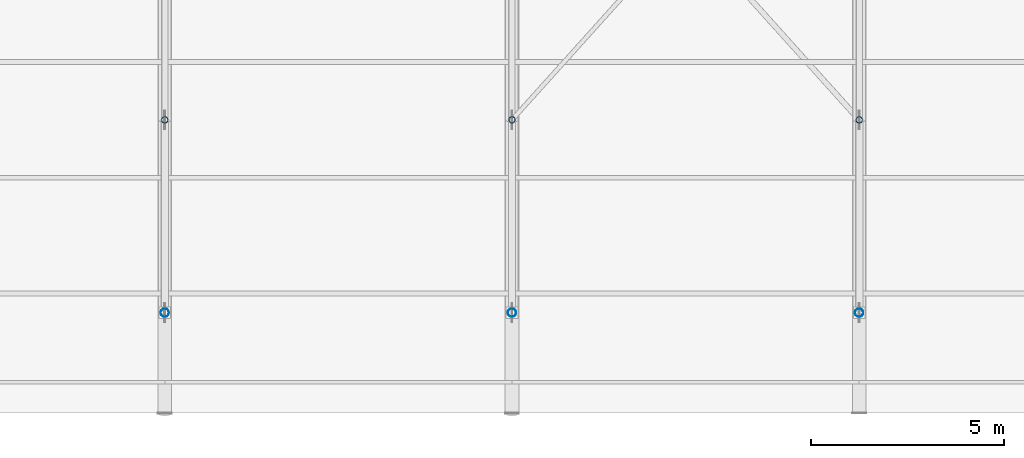
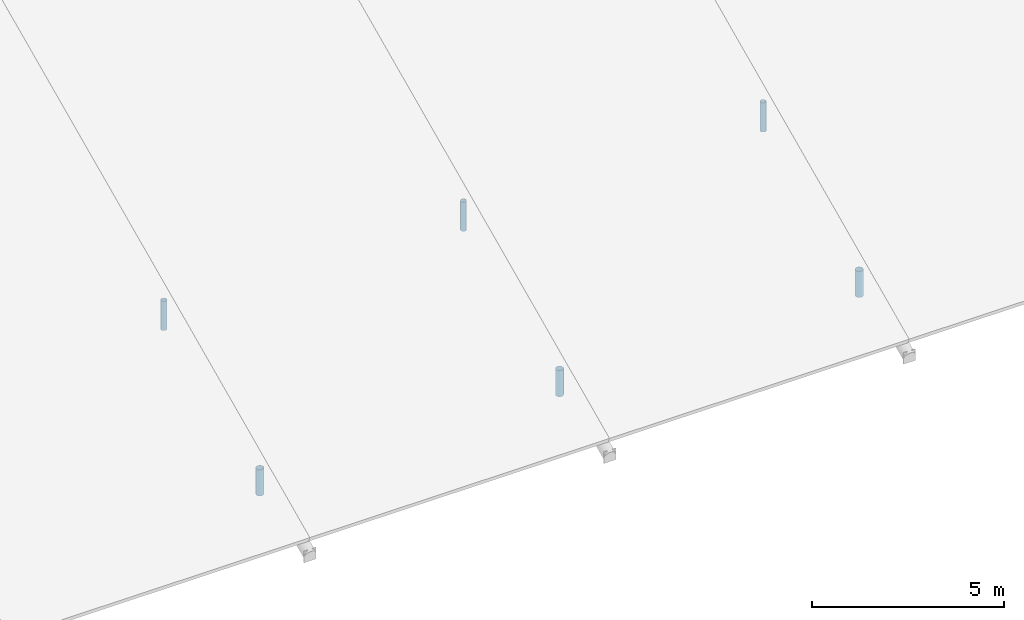
# One storey, part 72 of 107: 6 members.
"""IFC4 building model written with IfcOpenShell, lengths in metres."""

from ifc_helpers import new_model, si_unit, derived_unit, direction, frame, origin, origin_2d, place, context, subcontext, project, spatial, hollow_circle, extrude, material, material_profile, profile_set, type_object, element, save


model = new_model("IFC4")

# Units and contexts
model_context = context("Model", 3, precision=1e-05, world=origin(), true_north=direction((0.0, 1.0)))
body_context = subcontext(model_context, "Body", "Model", "MODEL_VIEW")
ifc_project = project(units=[si_unit("LENGTHUNIT", "METRE"), si_unit("AREAUNIT", "SQUARE_METRE"), si_unit("VOLUMEUNIT", "CUBIC_METRE"), si_unit("PLANEANGLEUNIT", "RADIAN"), si_unit("MASSUNIT", "GRAM", prefix="KILO"), si_unit("THERMODYNAMICTEMPERATUREUNIT", "KELVIN"), si_unit("TIMEUNIT", "SECOND"), derived_unit("THERMALTRANSMITTANCEUNIT", [(si_unit("MASSUNIT", "GRAM", prefix="KILO"), 1), (si_unit("THERMODYNAMICTEMPERATUREUNIT", "KELVIN"), -1), (si_unit("TIMEUNIT", "SECOND"), -3)])], contexts=[model_context])

# Site, building, storey
site_placement = place(None, origin())
site = spatial("IfcSite", under=ifc_project, at=site_placement, CompositionType="ELEMENT")
building_placement = place(site_placement, origin())
building = spatial("IfcBuilding", under=site, at=building_placement, Name="Cambertide Market Hall", CompositionType="ELEMENT")
storey_placement = place(building_placement, frame((0.0, 0.0, 18.300048828125)))
storey = spatial("IfcBuildingStorey", under=building, at=storey_placement, Name="RF", CompositionType="ELEMENT", Elevation=18.300048828125)

# Members
ifc_material_1 = material(Name="Steel S355", Category="steel")
ifc_material_profile_1 = material_profile(ifc_material_1, hollow_circle(Radius=0.084228515625, WallThickness=0.00634765625, at=origin_2d()), Name="CHS 168.3x6.3")
ifc_profile_set_1 = profile_set([ifc_material_profile_1], Name="Steel S355")
member_type_1 = type_object("IfcMemberType", Name="Structural Brace CHS 168.3x6.3", PredefinedType="BRACE", material=ifc_profile_set_1)
for number, where, z_axis, x_axis, name in (
    (1, (60.0, 57.0, -8.1767578125), (0.0, 0.0, 1.0), (1.0, 0.0, 0.0), "Roof Truss 3 Web Post 2"),
    (2, (69.0, 57.0, -8.1767578125), (0.0, 0.0, 1.0), (1.0, 0.0, 0.0), "Roof Truss 4 Web Post 2"),
    (3, (78.0, 57.0, -8.1767578125), (0.0, 0.0, 1.0), (1.0, 0.0, 0.0), "Roof Truss 5 Web Post 2"),
):
    element("IfcMember", number, at=place(storey_placement, frame(where, z_axis=z_axis, x_axis=x_axis)), inside=storey, type_object=member_type_1, Name=name, PredefinedType="BRACE", context=body_context, shape_type="SweptSolid", body=[
        extrude(hollow_circle(Radius=0.084228515625, WallThickness=0.00634765625, at=origin_2d()), origin(), (0.0, 0.0, 1.0), 0.9267578125),
    ])
ifc_material_2 = material(Name="Steel S355", Category="steel")
ifc_material_profile_2 = material_profile(ifc_material_2, hollow_circle(Radius=0.109619140625, WallThickness=0.008056640625, at=origin_2d()), Name="CHS 219.1x8")
ifc_profile_set_2 = profile_set([ifc_material_profile_2], Name="Steel S355")
member_type_2 = type_object("IfcMemberType", Name="Structural Brace CHS 219.1x8", PredefinedType="BRACE", material=ifc_profile_set_2)
for number, where, z_axis, x_axis, name in (
    (4, (60.0, 52.0, -10.380126953125), (0.0, 0.0, 1.0), (1.0, 0.0, 0.0), "Roof Truss 3 Web Post 1"),
    (5, (69.0, 52.0, -10.380126953125), (0.0, 0.0, 1.0), (1.0, 0.0, 0.0), "Roof Truss 4 Web Post 1"),
    (6, (78.0, 52.0, -10.380126953125), (0.0, 0.0, 1.0), (1.0, 0.0, 0.0), "Roof Truss 5 Web Post 1"),
):
    element("IfcMember", number, at=place(storey_placement, frame(where, z_axis=z_axis, x_axis=x_axis)), inside=storey, type_object=member_type_2, Name=name, PredefinedType="BRACE", context=body_context, shape_type="SweptSolid", body=[
        extrude(hollow_circle(Radius=0.109619140625, WallThickness=0.008056640625, at=origin_2d()), origin(), (0.0, 0.0, 1.0), 0.830078125),
    ])

save(model, "model.ifc")
